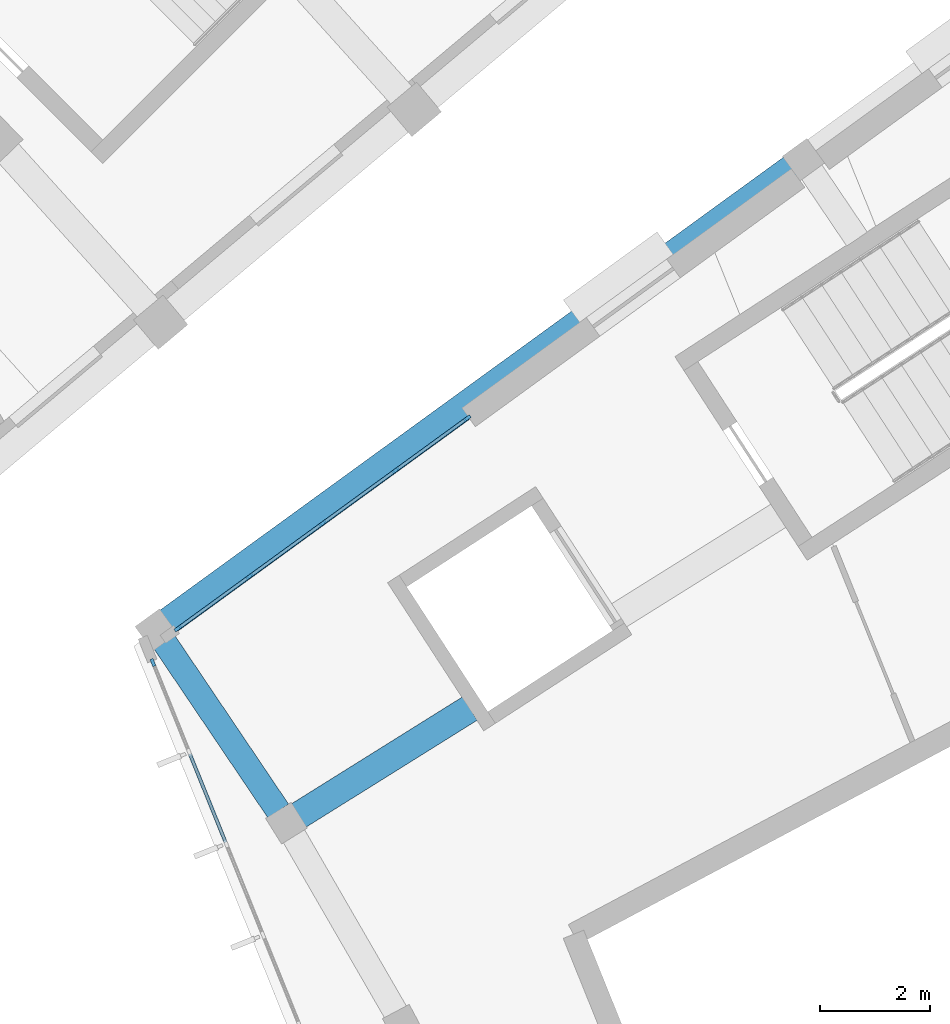
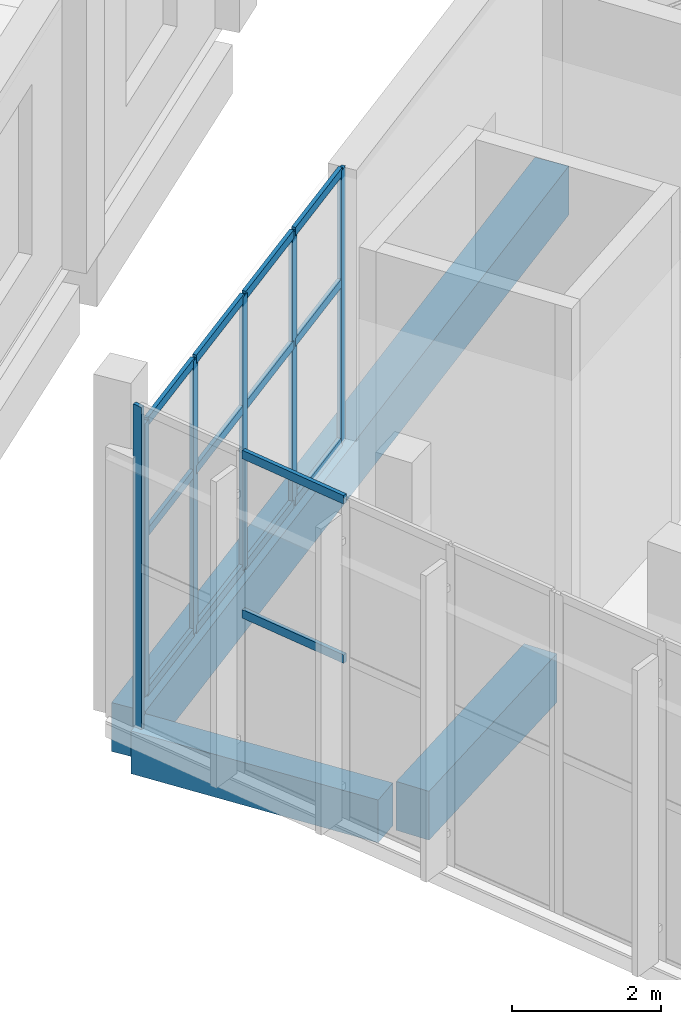
# One storey, part 24 of 112: 20 members, 3 beams, 2 elements without a shape of their own.
"""IFC4 building model written with IfcOpenShell, lengths in metres."""

import ifcopenshell
import ifcopenshell.guid

model = None  # the IFC model being written
_history = None  # IfcOwnerHistory: only IFC2X3 demands one
_inside = {}  # id of a spatial element -> (the spatial element, [elements in it])
_under = {}  # id of a project, library or spatial element -> (it, [spatial elements below it])
_declared = {}  # id of a project -> (the project, [libraries it declares])
_typed = {}  # id of a type object -> (the type object, [elements of that type])
_made_of = {}  # id of a material, layer set ... -> (it, [elements and type objects made of it])


def new_model(schema):
    """Start an empty IFC model of exactly this schema.

    Asked for "IFC4X3", IfcOpenShell would pick the latest addendum, in which some entities
    have other attributes; the version numbers below select the first issue.
    IFC2X3 requires an IfcOwnerHistory on every rooted entity: one is made here for all.
    """
    global model, _history
    if schema == "IFC4X3":
        model = ifcopenshell.file(schema_version=(4, 3, 0, 0))
    else:
        model = ifcopenshell.file(schema=schema)
    _inside.clear()
    _under.clear()
    _declared.clear()
    _typed.clear()
    _made_of.clear()
    _history = None
    if model.schema == "IFC2X3":
        org = make("IfcOrganization", Name="unknown")
        user = make(
            "IfcPersonAndOrganization",
            ThePerson=make("IfcPerson", FamilyName="unknown"),
            TheOrganization=org,
        )
        app = make(
            "IfcApplication",
            ApplicationDeveloper=org,
            Version="unknown",
            ApplicationFullName="unknown",
            ApplicationIdentifier="unknown",
        )
        _history = make(
            "IfcOwnerHistory",
            OwningUser=user,
            OwningApplication=app,
            ChangeAction="ADDED",
            CreationDate=0,
        )
    return model


def make(cls, **values):
    """One entity of the class cls with the attributes given. An attribute that is None is left unset."""
    return model.create_entity(
        cls, **{name: value for name, value in values.items() if value is not None}
    )


def rooted(cls, **values):
    """An entity with a GlobalId (a new one), such as an element, a storey or a relation."""
    return make(cls, GlobalId=ifcopenshell.guid.new(), OwnerHistory=_history, **values)


def si_unit(unit_type, name, prefix=None):
    """IfcSIUnit, for example si_unit("LENGTHUNIT", "METRE", prefix="MILLI")."""
    return make("IfcSIUnit", UnitType=unit_type, Prefix=prefix, Name=name)


def assignment(units):
    """IfcUnitAssignment: the units of a project."""
    return None if units is None else make("IfcUnitAssignment", Units=units)


def point(xyz):
    """IfcCartesianPoint."""
    return None if xyz is None else make("IfcCartesianPoint", Coordinates=xyz)


def direction(xyz):
    """IfcDirection."""
    return None if xyz is None else make("IfcDirection", DirectionRatios=xyz)


def frame(location, z_axis=None, x_axis=None):
    """IfcAxis2Placement3D, a coordinate frame: its origin and axes. An axis left out is left unset."""
    return make(
        "IfcAxis2Placement3D",
        Location=point(location),
        Axis=direction(z_axis),
        RefDirection=direction(x_axis),
    )


def frame_2d(location, x_axis=None):
    """IfcAxis2Placement2D, a coordinate frame in the plane: its origin and x axis."""
    return make(
        "IfcAxis2Placement2D", Location=point(location), RefDirection=direction(x_axis)
    )


def origin():
    """The frame at (0, 0, 0) with its axes left unset."""
    return frame((0.0, 0.0, 0.0))


def origin_2d():
    """The frame at (0, 0) in the plane with its x axis left unset."""
    return frame_2d((0.0, 0.0))


def place(relative_to, where):
    """IfcLocalPlacement: puts the frame where relative to a parent placement (None: the world)."""
    return make(
        "IfcLocalPlacement", PlacementRelTo=relative_to, RelativePlacement=where
    )


def context(
    kind, dimensions, precision=None, world=None, true_north=None, identifier=None
):
    """IfcGeometricRepresentationContext, for example the 3D "Model" context."""
    return make(
        "IfcGeometricRepresentationContext",
        ContextIdentifier=identifier,
        ContextType=kind,
        CoordinateSpaceDimension=dimensions,
        Precision=precision,
        WorldCoordinateSystem=world,
        TrueNorth=true_north,
    )


def subcontext(parent, identifier, kind, view, scale=None):
    """IfcGeometricRepresentationSubContext, for example "Body" below "Model"."""
    return make(
        "IfcGeometricRepresentationSubContext",
        ContextIdentifier=identifier,
        ContextType=kind,
        ParentContext=parent,
        TargetScale=scale,
        TargetView=view,
    )


def project(units=None, contexts=None):
    """IfcProject with its units and contexts."""
    return rooted(
        "IfcProject",
        Name="project",
        RepresentationContexts=contexts,
        UnitsInContext=assignment(units),
    )


def spatial(cls, under=None, at=None, **own):
    """A site, building, storey or space (cls), placed at a placement, below another one or the project."""
    s = rooted(cls, ObjectPlacement=at, **own)
    if under is not None:
        _under.setdefault(under.id(), (under, []))[1].append(s)
    return s


def profile(cls, at=None, kind="AREA", **sizes):
    """A parametric profile (cls). Its sizes go by their IFC names, for example OverallWidth=200.0."""
    return make(cls, ProfileType=kind, Position=at, **sizes)


def rectangle(**sizes):
    """IfcRectangleProfileDef."""
    return profile("IfcRectangleProfileDef", **sizes)


def extrude(swept, where, along, depth):
    """IfcExtrudedAreaSolid: the profile swept, set in the frame where, extruded along a direction by depth."""
    return make(
        "IfcExtrudedAreaSolid",
        SweptArea=swept,
        Position=where,
        ExtrudedDirection=direction(along),
        Depth=depth,
    )


def shape(context_of_items, identifier, shape_type, items):
    """IfcShapeRepresentation: the items that make up one representation, for example the "Body"."""
    return make(
        "IfcShapeRepresentation",
        ContextOfItems=context_of_items,
        RepresentationIdentifier=identifier,
        RepresentationType=shape_type,
        Items=items,
    )


def material(Name=None, Category=None):
    """IfcMaterial."""
    return make("IfcMaterial", Name=Name, Category=Category)


def layer(
    of_material, thickness, ventilated=None, Name=None, Category=None, Priority=None
):
    """IfcMaterialLayer: one layer of a wall or slab, of a material (None: an air gap)."""
    return make(
        "IfcMaterialLayer",
        Material=of_material,
        LayerThickness=thickness,
        IsVentilated=ventilated,
        Name=Name,
        Category=Category,
        Priority=Priority,
    )


def layer_set(layers, Name=None):
    """IfcMaterialLayerSet."""
    return make("IfcMaterialLayerSet", MaterialLayers=layers, LayerSetName=Name)


def material_profile(
    of_material, cross_section, Name=None, Category=None, Priority=None
):
    """IfcMaterialProfile: a cross section and its material."""
    return make(
        "IfcMaterialProfile",
        Name=Name,
        Material=of_material,
        Profile=cross_section,
        Priority=Priority,
        Category=Category,
    )


def profile_set(profiles, Name=None, composite=None):
    """IfcMaterialProfileSet."""
    return make(
        "IfcMaterialProfileSet",
        Name=Name,
        MaterialProfiles=profiles,
        CompositeProfile=composite,
    )


def made_of(thing, what):
    """Note that an element or type object is made of a material, layer set ...; save() writes the relation."""
    if what is not None:
        _made_of.setdefault(what.id(), (what, []))[1].append(thing)
    return thing


def type_object(cls, material=None, **own):
    """A type object (cls), such as IfcWallType, which elements share."""
    return made_of(rooted(cls, **own), material)


def element(
    cls,
    number,
    at=None,
    inside=None,
    cuts=None,
    type_object=None,
    material=None,
    context=None,
    identifier="Body",
    shape_type=None,
    held_by="IfcProductDefinitionShape",
    body=None,
    shapes=None,
    **own,
):
    """One element of the class cls, such as IfcWall. Its Tag is "e" and its number.

    at: its placement. inside: the storey or other place that contains it. cuts: it is an
    opening in that element (IfcRelVoidsElement). A single representation is given by context,
    identifier, shape_type and body (its items); several are given by shapes. held_by: the class
    of the entity that holds the representations. save() writes the other relations.
    """
    e = rooted(cls, Tag="e%d" % number, ObjectPlacement=at, **own)
    if body is not None:
        shapes = [shape(context, identifier, shape_type, body)]
    if shapes is not None:
        e.Representation = make(held_by, Representations=shapes)
    if inside is not None:
        _inside.setdefault(inside.id(), (inside, []))[1].append(e)
    if cuts is not None:
        rooted(
            "IfcRelVoidsElement", RelatingBuildingElement=cuts, RelatedOpeningElement=e
        )
    if type_object is not None:
        _typed.setdefault(type_object.id(), (type_object, []))[1].append(e)
    return made_of(e, material)


def aggregate(whole, parts):
    """IfcRelAggregates: a whole, such as a stair, and the parts it consists of."""
    return rooted("IfcRelAggregates", RelatingObject=whole, RelatedObjects=parts)


def save(model, path):
    """Write the relations noted so far, then the file.

    IfcRelAggregates (storeys below a building ...), IfcRelContainedInSpatialStructure (elements
    in a storey), IfcRelDefinesByType, IfcRelAssociatesMaterial and IfcRelDeclares: one each for
    every whole, place, type object, material and project.
    """
    for whole, parts in _under.values():
        aggregate(whole, parts)
    for where, things in _inside.values():
        rooted(
            "IfcRelContainedInSpatialStructure",
            RelatedElements=things,
            RelatingStructure=where,
        )
    for kind, things in _typed.values():
        rooted("IfcRelDefinesByType", RelatedObjects=things, RelatingType=kind)
    for what, things in _made_of.values():
        rooted("IfcRelAssociatesMaterial", RelatedObjects=things, RelatingMaterial=what)
    for by, libraries in _declared.values():
        rooted("IfcRelDeclares", RelatingContext=by, RelatedDefinitions=libraries)
    model.write(path)


model = new_model("IFC4")

# Units and contexts
model_context = context("Model", 3, precision=1e-05, world=origin(), true_north=direction((0.0, 1.0)))
body_context = subcontext(model_context, "Body", "Model", "MODEL_VIEW")
ifc_project = project(units=[si_unit("LENGTHUNIT", "METRE"), si_unit("AREAUNIT", "SQUARE_METRE"), si_unit("VOLUMEUNIT", "CUBIC_METRE"), si_unit("PLANEANGLEUNIT", "RADIAN"), si_unit("MASSUNIT", "GRAM", prefix="KILO")], contexts=[model_context])

# Site, building, storey
site_placement = place(None, origin())
site = spatial("IfcSite", under=ifc_project, at=site_placement, CompositionType="ELEMENT")
building_placement = place(site_placement, origin())
building = spatial("IfcBuilding", under=site, at=building_placement, Name="Lunette Opera House", CompositionType="ELEMENT")
storey_placement = place(building_placement, frame((0.0, 0.0, 6.0)))
storey = spatial("IfcBuildingStorey", under=building, at=storey_placement, Name="L01", CompositionType="ELEMENT", Elevation=6.0)

# Curtain wall, member
ifc_material_1 = material(Name="Aluminium", Category="aluminium")
ifc_layer = layer(ifc_material_1, 0.139892578125)
ifc_layer_set = layer_set([ifc_layer], Name="Aluminium")
curtain_wall_type = type_object("IfcCurtainWallType", Name="STUDIO CURTAIN WALL", PredefinedType="NOTDEFINED", material=ifc_layer_set)
curtain_wall_1_placement = place(storey_placement, origin())
curtain_wall_1 = element("IfcCurtainWall", 1, at=curtain_wall_1_placement, inside=storey, type_object=curtain_wall_type, Name="Studio Curtain Wall F05 L01", PredefinedType="NOTDEFINED")
ifc_material_2 = material(Name="Aluminium", Category="aluminium")
ifc_material_profile_1 = material_profile(ifc_material_2, rectangle(XDim=0.06005859375, YDim=0.139892578125, at=origin_2d()), Name="MULLION 60 X 140")
ifc_profile_set_1 = profile_set([ifc_material_profile_1], Name="Aluminium")
member_type_1 = type_object("IfcMemberType", Name="MULLION 60 X 140", PredefinedType="MULLION", material=ifc_profile_set_1)
member_1_placement = place(storey_placement, frame((144.88720703125, 34.97119140625, 0.0), z_axis=(0.0, 0.0, 1.0), x_axis=(0.927167994967, 0.37464584491, 0.0)))
member_1 = element("IfcMember", 2, at=member_1_placement, type_object=member_type_1, Name="SB-X2008 mullion 1", PredefinedType="MULLION", context=body_context, shape_type="SweptSolid", body=[
    extrude(rectangle(XDim=0.06005859375, YDim=0.139892578125, at=origin_2d()), origin(), (0.0, 0.0, 1.0), 5.280029296875),
])

# Curtain wall, members
curtain_wall_2_placement = place(storey_placement, origin())
curtain_wall_2 = element("IfcCurtainWall", 3, at=curtain_wall_2_placement, inside=storey, type_object=curtain_wall_type, Name="Studio Curtain Wall F04 L01", PredefinedType="NOTDEFINED")
member_2_placement = place(storey_placement, frame((150.582763671875, 39.3974609375, 0.0), z_axis=(0.0, 0.0, 1.0), x_axis=(0.587771589927, -0.809026920488, 0.0)))
member_2 = element("IfcMember", 4, at=member_2_placement, type_object=member_type_1, Name="SB-X2007 mullion 1", PredefinedType="MULLION", context=body_context, shape_type="SweptSolid", body=[
    extrude(rectangle(XDim=0.06005859375, YDim=0.139892578125, at=origin_2d()), origin(), (0.0, 0.0, 1.0), 4.47998046875),
])
member_3_placement = place(storey_placement, frame((149.2841796875, 38.4541015625, 0.0), z_axis=(0.0, 0.0, 1.0), x_axis=(0.587771589927, -0.809026920488, 0.0)))
member_3 = element("IfcMember", 5, at=member_3_placement, type_object=member_type_1, Name="SB-X2007 mullion 2", PredefinedType="MULLION", context=body_context, shape_type="SweptSolid", body=[
    extrude(rectangle(XDim=0.06005859375, YDim=0.139892578125, at=origin_2d()), origin(), (0.0, 0.0, 1.0), 4.47998046875),
])
member_4_placement = place(storey_placement, frame((147.96142578125, 37.492919921875, 0.0), z_axis=(0.0, 0.0, 1.0), x_axis=(0.587771589927, -0.809026920488, 0.0)))
member_4 = element("IfcMember", 6, at=member_4_placement, type_object=member_type_1, Name="SB-X2007 mullion 3", PredefinedType="MULLION", context=body_context, shape_type="SweptSolid", body=[
    extrude(rectangle(XDim=0.06005859375, YDim=0.139892578125, at=origin_2d()), origin(), (0.0, 0.0, 1.0), 4.47998046875),
])
member_5_placement = place(storey_placement, frame((146.638671875, 36.531982421875, 0.0), z_axis=(0.0, 0.0, 1.0), x_axis=(0.587771589927, -0.809026920488, 0.0)))
member_5 = element("IfcMember", 7, at=member_5_placement, type_object=member_type_1, Name="SB-X2007 mullion 4", PredefinedType="MULLION", context=body_context, shape_type="SweptSolid", body=[
    extrude(rectangle(XDim=0.06005859375, YDim=0.139892578125, at=origin_2d()), origin(), (0.0, 0.0, 1.0), 4.47998046875),
])
member_6_placement = place(storey_placement, frame((145.34033203125, 35.588623046875, 0.0), z_axis=(0.0, 0.0, 1.0), x_axis=(0.587771589927, -0.809026920488, 0.0)))
member_6 = element("IfcMember", 8, at=member_6_placement, type_object=member_type_1, Name="SB-X2007 mullion 5", PredefinedType="MULLION", context=body_context, shape_type="SweptSolid", body=[
    extrude(rectangle(XDim=0.06005859375, YDim=0.139892578125, at=origin_2d()), origin(), (0.0, 0.0, 1.0), 4.47998046875),
])

# Beams
ifc_material_3 = material(Name="Concrete C35/45", Category="concrete")
ifc_material_profile_2 = material_profile(ifc_material_3, rectangle(XDim=0.449951171875, YDim=0.699951171875, at=origin_2d()), Name="RC BEAM 450X700")
ifc_profile_set_2 = profile_set([ifc_material_profile_2], Name="Concrete C35/45")
beam_type_1 = type_object("IfcBeamType", Name="RC BEAM 450X700", PredefinedType="BEAM", material=ifc_profile_set_2)
beam_1_placement = place(storey_placement, frame((145.093994140625, 35.341064453125, -0.570068359375), z_axis=(0.559238901912, -0.829006544358, 0.0), x_axis=(0.829006544358, 0.559238901912, 0.0)))
element("IfcBeam", 9, at=beam_1_placement, inside=storey, type_object=beam_type_1, Name="beam-SB-L01-L01-RG00", PredefinedType="BEAM", context=body_context, shape_type="SweptSolid", body=[
    extrude(rectangle(XDim=0.449951171875, YDim=0.699951171875, at=origin_2d()), origin(), (0.0, 0.0, 1.0), 3.6923828125),
])
ifc_material_4 = material(Name="Concrete C35/45", Category="concrete")
ifc_material_profile_3 = material_profile(ifc_material_4, rectangle(XDim=0.5, YDim=0.800048828125, at=origin_2d()), Name="RC BEAM 500X800")
ifc_profile_set_3 = profile_set([ifc_material_profile_3], Name="Concrete C35/45")
beam_type_2 = type_object("IfcBeamType", Name="RC BEAM 500X800", PredefinedType="BEAM", material=ifc_profile_set_3)
beam_2_placement = place(storey_placement, frame((145.159912109375, 35.717041015625, -0.6201171875), z_axis=(0.809032229307, 0.587764282636, 0.0), x_axis=(-0.587764282636, 0.809032229307, 0.0)))
element("IfcBeam", 10, at=beam_2_placement, inside=storey, type_object=beam_type_2, Name="beam-SB-L01-L01-RB00", PredefinedType="BEAM", context=body_context, shape_type="SweptSolid", body=[
    extrude(rectangle(XDim=0.5, YDim=0.800048828125, at=origin_2d()), origin(), (0.0, 0.0, 1.0), 13.9697265625),
])
beam_3_placement = place(storey_placement, frame((147.531982421875, 32.200927734375, -0.6201171875), z_axis=(0.848110889275, 0.529818760986, 0.0), x_axis=(-0.529818760986, 0.848110889275, 0.0)))
element("IfcBeam", 11, at=beam_3_placement, inside=storey, type_object=beam_type_2, Name="beam-SB-L01-L01-RB01", PredefinedType="BEAM", context=body_context, shape_type="SweptSolid", body=[
    extrude(rectangle(XDim=0.5, YDim=0.800048828125, at=origin_2d()), origin(), (0.0, 0.0, 1.0), 3.654052734375),
])

# Member
ifc_material_5 = material(Name="Aluminium", Category="aluminium")
ifc_material_profile_4 = material_profile(ifc_material_5, rectangle(XDim=0.06005859375, YDim=0.139892578125, at=origin_2d()), Name="TRANSOM 60 X 140")
ifc_profile_set_4 = profile_set([ifc_material_profile_4], Name="Aluminium")
member_type_2 = type_object("IfcMemberType", Name="TRANSOM 60 X 140", PredefinedType="USERDEFINED", material=ifc_profile_set_4)
member_7_placement = place(storey_placement, frame((145.556396484375, 33.31494140625, 2.639892578125), z_axis=(0.374752968259, -0.92712470185, 0.0), x_axis=(0.92712470185, 0.374752968259, 0.0)))
member_7 = element("IfcMember", 12, at=member_7_placement, type_object=member_type_2, Name="SB-X2008 transom 2.2", ObjectType="TRANSOM", PredefinedType="USERDEFINED", context=body_context, shape_type="SweptSolid", body=[
    extrude(rectangle(XDim=0.06005859375, YDim=0.139892578125, at=origin_2d()), origin(), (0.0, 0.0, 1.0), 1.726318359375),
])

member_8_placement = place(storey_placement, frame((145.556396484375, 33.31494140625, 5.25), z_axis=(0.374752968259, -0.92712470185, 0.0), x_axis=(0.92712470185, 0.374752968259, 0.0)))
member_8 = element("IfcMember", 13, at=member_8_placement, type_object=member_type_2, Name="SB-X2008 transom 2.3", ObjectType="TRANSOM", PredefinedType="USERDEFINED", context=body_context, shape_type="SweptSolid", body=[
    extrude(rectangle(XDim=0.06005859375, YDim=0.139892578125, at=origin_2d()), origin(), (0.0, 0.0, 1.0), 1.726318359375),
])

aggregate(curtain_wall_1, [member_1, member_7, member_8])

member_9_placement = place(storey_placement, frame((150.558349609375, 39.379638671875, 0.030029296875), z_axis=(-0.809029860719, -0.587767542882, 0.0), x_axis=(0.587767542882, -0.809029860719, 0.0)))
member_9 = element("IfcMember", 14, at=member_9_placement, type_object=member_type_2, Name="SB-X2007 transom 1.1", ObjectType="TRANSOM", PredefinedType="USERDEFINED", context=body_context, shape_type="SweptSolid", body=[
    extrude(rectangle(XDim=0.06005859375, YDim=0.139892578125, at=origin_2d()), origin(), (0.0, 0.0, 1.0), 1.544677734375),
])

member_10_placement = place(storey_placement, frame((150.558349609375, 39.379638671875, 2.639892578125), z_axis=(-0.809029860719, -0.587767542882, 0.0), x_axis=(0.587767542882, -0.809029860719, 0.0)))
member_10 = element("IfcMember", 15, at=member_10_placement, type_object=member_type_2, Name="SB-X2007 transom 1.2", ObjectType="TRANSOM", PredefinedType="USERDEFINED", context=body_context, shape_type="SweptSolid", body=[
    extrude(rectangle(XDim=0.06005859375, YDim=0.139892578125, at=origin_2d()), origin(), (0.0, 0.0, 1.0), 1.544677734375),
])

member_11_placement = place(storey_placement, frame((150.558349609375, 39.379638671875, 4.449951171875), z_axis=(-0.809029860719, -0.587767542882, 0.0), x_axis=(0.587767542882, -0.809029860719, 0.0)))
member_11 = element("IfcMember", 16, at=member_11_placement, type_object=member_type_2, Name="SB-X2007 transom 1.3", ObjectType="TRANSOM", PredefinedType="USERDEFINED", context=body_context, shape_type="SweptSolid", body=[
    extrude(rectangle(XDim=0.06005859375, YDim=0.139892578125, at=origin_2d()), origin(), (0.0, 0.0, 1.0), 1.544677734375),
])

member_12_placement = place(storey_placement, frame((149.260009765625, 38.436279296875, 0.030029296875), z_axis=(-0.809077841645, -0.587701494094, 0.0), x_axis=(0.587701494094, -0.809077841645, 0.0)))
member_12 = element("IfcMember", 17, at=member_12_placement, type_object=member_type_2, Name="SB-X2007 transom 2.1", ObjectType="TRANSOM", PredefinedType="USERDEFINED", context=body_context, shape_type="SweptSolid", body=[
    extrude(rectangle(XDim=0.06005859375, YDim=0.139892578125, at=origin_2d()), origin(), (0.0, 0.0, 1.0), 1.574951171875),
])

member_13_placement = place(storey_placement, frame((149.260009765625, 38.436279296875, 2.639892578125), z_axis=(-0.809077841645, -0.587701494094, 0.0), x_axis=(0.587701494094, -0.809077841645, 0.0)))
member_13 = element("IfcMember", 18, at=member_13_placement, type_object=member_type_2, Name="SB-X2007 transom 2.2", ObjectType="TRANSOM", PredefinedType="USERDEFINED", context=body_context, shape_type="SweptSolid", body=[
    extrude(rectangle(XDim=0.06005859375, YDim=0.139892578125, at=origin_2d()), origin(), (0.0, 0.0, 1.0), 1.574951171875),
])

member_14_placement = place(storey_placement, frame((149.260009765625, 38.436279296875, 4.449951171875), z_axis=(-0.809077841645, -0.587701494094, 0.0), x_axis=(0.587701494094, -0.809077841645, 0.0)))
member_14 = element("IfcMember", 19, at=member_14_placement, type_object=member_type_2, Name="SB-X2007 transom 2.3", ObjectType="TRANSOM", PredefinedType="USERDEFINED", context=body_context, shape_type="SweptSolid", body=[
    extrude(rectangle(XDim=0.06005859375, YDim=0.139892578125, at=origin_2d()), origin(), (0.0, 0.0, 1.0), 1.574951171875),
])

member_15_placement = place(storey_placement, frame((147.937255859375, 37.475341796875, 0.030029296875), z_axis=(-0.809004127975, -0.587802960966, 0.0), x_axis=(0.587802960966, -0.809004127975, 0.0)))
member_15 = element("IfcMember", 20, at=member_15_placement, type_object=member_type_2, Name="SB-X2007 transom 3.1", ObjectType="TRANSOM", PredefinedType="USERDEFINED", context=body_context, shape_type="SweptSolid", body=[
    extrude(rectangle(XDim=0.06005859375, YDim=0.139892578125, at=origin_2d()), origin(), (0.0, 0.0, 1.0), 1.574951171875),
])

member_16_placement = place(storey_placement, frame((147.937255859375, 37.475341796875, 2.639892578125), z_axis=(-0.809004127975, -0.587802960966, 0.0), x_axis=(0.587802960966, -0.809004127975, 0.0)))
member_16 = element("IfcMember", 21, at=member_16_placement, type_object=member_type_2, Name="SB-X2007 transom 3.2", ObjectType="TRANSOM", PredefinedType="USERDEFINED", context=body_context, shape_type="SweptSolid", body=[
    extrude(rectangle(XDim=0.06005859375, YDim=0.139892578125, at=origin_2d()), origin(), (0.0, 0.0, 1.0), 1.574951171875),
])

member_17_placement = place(storey_placement, frame((147.937255859375, 37.475341796875, 4.449951171875), z_axis=(-0.809004127975, -0.587802960966, 0.0), x_axis=(0.587802960966, -0.809004127975, 0.0)))
member_17 = element("IfcMember", 22, at=member_17_placement, type_object=member_type_2, Name="SB-X2007 transom 3.3", ObjectType="TRANSOM", PredefinedType="USERDEFINED", context=body_context, shape_type="SweptSolid", body=[
    extrude(rectangle(XDim=0.06005859375, YDim=0.139892578125, at=origin_2d()), origin(), (0.0, 0.0, 1.0), 1.574951171875),
])

member_18_placement = place(storey_placement, frame((146.614501953125, 36.514404296875, 0.030029296875), z_axis=(-0.809009310944, -0.587795827483, 0.0), x_axis=(0.587795827483, -0.809009310944, 0.0)))
member_18 = element("IfcMember", 23, at=member_18_placement, type_object=member_type_2, Name="SB-X2007 transom 4.1", ObjectType="TRANSOM", PredefinedType="USERDEFINED", context=body_context, shape_type="SweptSolid", body=[
    extrude(rectangle(XDim=0.06005859375, YDim=0.139892578125, at=origin_2d()), origin(), (0.0, 0.0, 1.0), 1.545166015625),
])

member_19_placement = place(storey_placement, frame((146.614501953125, 36.514404296875, 2.639892578125), z_axis=(-0.809009310944, -0.587795827483, 0.0), x_axis=(0.587795827483, -0.809009310944, 0.0)))
member_19 = element("IfcMember", 24, at=member_19_placement, type_object=member_type_2, Name="SB-X2007 transom 4.2", ObjectType="TRANSOM", PredefinedType="USERDEFINED", context=body_context, shape_type="SweptSolid", body=[
    extrude(rectangle(XDim=0.06005859375, YDim=0.139892578125, at=origin_2d()), origin(), (0.0, 0.0, 1.0), 1.545166015625),
])

member_20_placement = place(storey_placement, frame((146.614501953125, 36.514404296875, 4.449951171875), z_axis=(-0.809009310944, -0.587795827483, 0.0), x_axis=(0.587795827483, -0.809009310944, 0.0)))
member_20 = element("IfcMember", 25, at=member_20_placement, type_object=member_type_2, Name="SB-X2007 transom 4.3", ObjectType="TRANSOM", PredefinedType="USERDEFINED", context=body_context, shape_type="SweptSolid", body=[
    extrude(rectangle(XDim=0.06005859375, YDim=0.139892578125, at=origin_2d()), origin(), (0.0, 0.0, 1.0), 1.545166015625),
])

aggregate(curtain_wall_2, [member_2, member_3, member_4, member_5, member_6, member_9, member_10, member_11, member_12, member_13, member_14, member_15, member_16, member_17, member_18, member_19, member_20])

save(model, "model.ifc")
